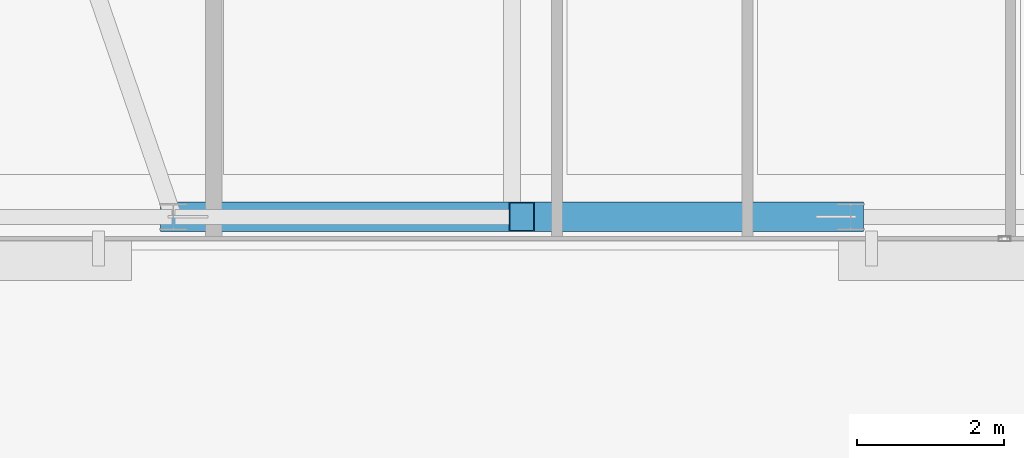
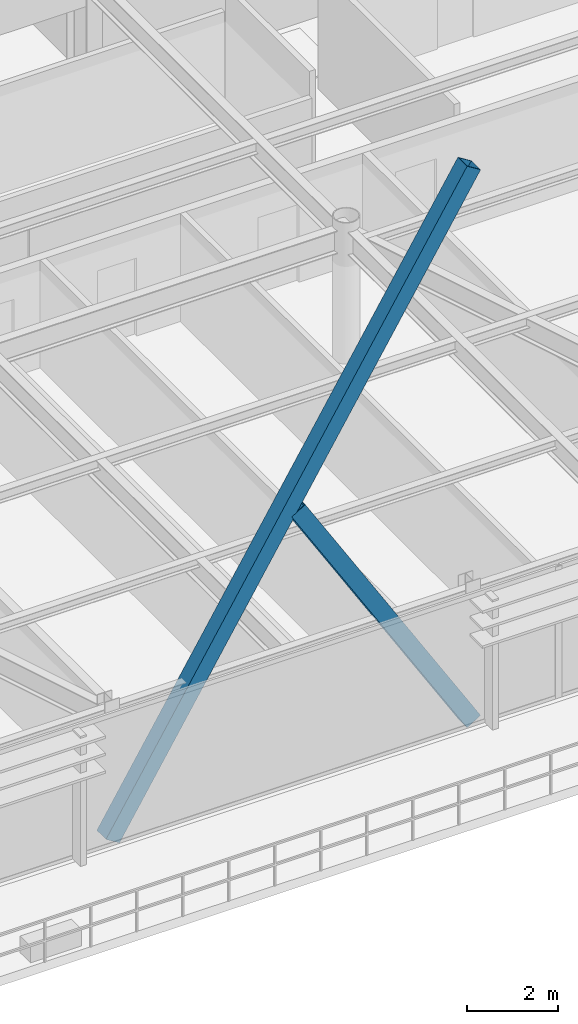
# One storey, part 9 of 33: 2 members.
"""IFC4 building model written with IfcOpenShell, lengths in metres."""

from ifc_helpers import new_model, si_unit, direction, frame, origin, origin_2d, place, context, subcontext, project, spatial, hollow_rectangle, extrude, source, transform, mapped, material, material_profile, profile_set, type_object, type_shapes, element, save


model = new_model("IFC4")

# Units and contexts
model_context = context("Model", 3, precision=1e-05, world=origin(), true_north=direction((0.0, 1.0)))
body_context = subcontext(model_context, "Body", "Model", "MODEL_VIEW")
ifc_project = project(units=[si_unit("LENGTHUNIT", "METRE"), si_unit("AREAUNIT", "SQUARE_METRE"), si_unit("VOLUMEUNIT", "CUBIC_METRE"), si_unit("PLANEANGLEUNIT", "RADIAN"), si_unit("MASSUNIT", "GRAM", prefix="KILO")], contexts=[model_context])

# Site, building, storey
site_placement = place(None, origin())
site = spatial("IfcSite", under=ifc_project, at=site_placement, CompositionType="ELEMENT")
building_placement = place(site_placement, origin())
building = spatial("IfcBuilding", under=site, at=building_placement, Name="Varnel Quay Broadcast Tower", CompositionType="ELEMENT")
storey_placement = place(building_placement, frame((0.0, 0.0, 199.800048828125)))
storey = spatial("IfcBuildingStorey", under=building, at=storey_placement, Name="L49", CompositionType="ELEMENT", Elevation=199.800048828125)

# Members
ifc_material = material(Name="Structural Steel CSA G40.21 350W", Category="steel")
ifc_material_profile = material_profile(ifc_material, hollow_rectangle(XDim=0.406005859375, YDim=0.406005859375, WallThickness=0.01611328125, at=origin_2d()), Name="HSS406X406X16")
ifc_profile_set = profile_set([ifc_material_profile], Name="Structural Steel CSA G40.21 350W")
member_type = type_object("IfcMemberType", Name="Brace_HSS406X406X16", PredefinedType="BRACE", material=ifc_profile_set)
shared_shape_1 = source(origin(), body_context, "Body", "SweptSolid", [
    extrude(hollow_rectangle(XDim=0.406005859375, YDim=0.406005859375, WallThickness=0.01611328125, at=origin_2d()), origin(), (0.0, 0.0, 1.0), 17.52001953125),
])
member_1_placement = place(storey_placement, frame((29.39990234375, 10.64990234375, 0.02001953125), z_axis=(0.52512643842, 0.0, 0.851024220379), x_axis=(0.0, 1.0, 0.0)))
element("IfcMember", 1, at=member_1_placement, inside=storey, type_object=member_type, Name="Zone 4 Mega-Brace S-C1T1 Continuous Diag A", PredefinedType="BRACE", context=body_context, shape_type="MappedRepresentation", body=[
    mapped(shared_shape_1, transform((0.0, 0.0, 0.0), x_axis=(1.0, 0.0, 0.0), y_axis=(0.0, 1.0, 0.0), z_axis=(0.0, 0.0, 1.0), scale=1.0)),
])
shared_shape_2 = source(origin(), body_context, "Body", "SweptSolid", [
    extrude(hollow_rectangle(XDim=0.406005859375, YDim=0.406005859375, WallThickness=0.01611328125, at=origin_2d()), origin(), (0.0, 0.0, 1.0), 8.508056640625),
])
type_shapes(member_type, [shared_shape_1, shared_shape_2])
member_2_placement = place(storey_placement, frame((38.60009765625, 10.64990234375, 0.02001953125), z_axis=(-0.525128109977, 0.0, 0.851023188939), x_axis=(0.0, -1.0, 0.0)))
element("IfcMember", 2, at=member_2_placement, inside=storey, type_object=member_type, Name="Zone 4 Mega-Brace S-C1T1 Split Diag B1", PredefinedType="BRACE", context=body_context, shape_type="MappedRepresentation", body=[
    mapped(shared_shape_2, transform((0.0, 0.0, 0.0), x_axis=(1.0, 0.0, 0.0), y_axis=(0.0, 1.0, 0.0), z_axis=(0.0, 0.0, 1.0), scale=1.0)),
])

save(model, "model.ifc")
